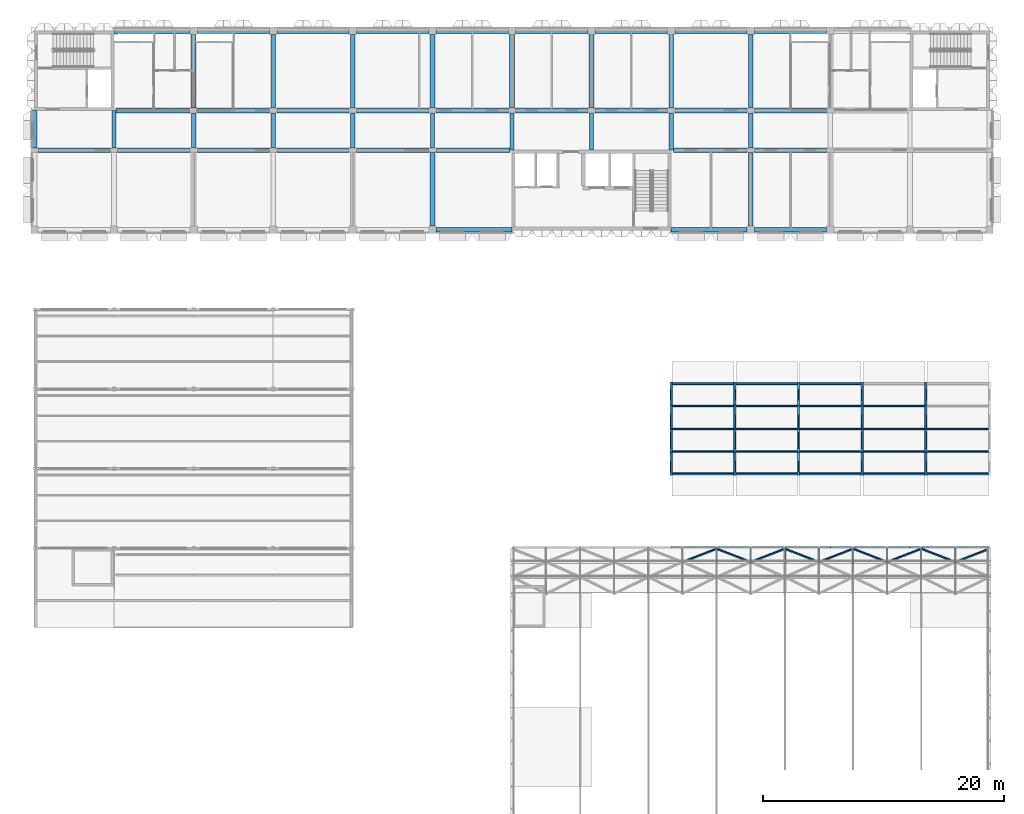
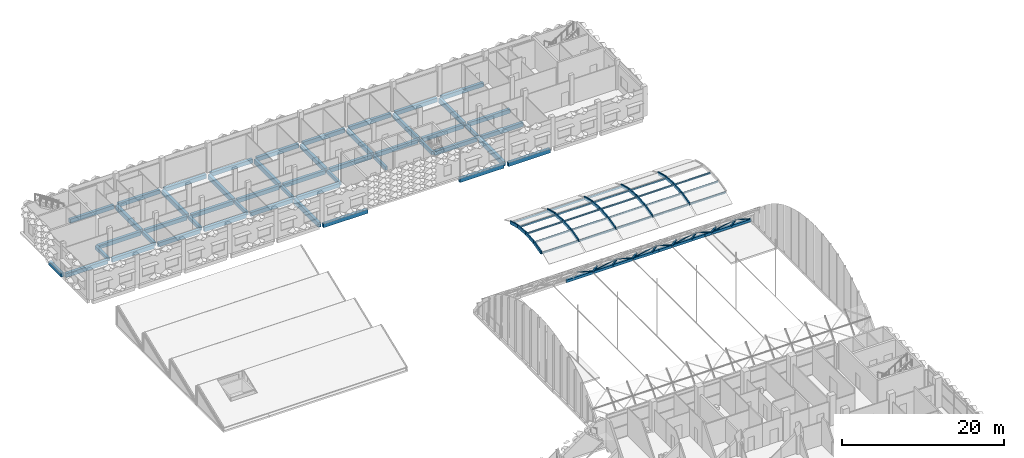
# One storey, part 39 of 109: 59 members, 53 beams.
"""IFC4 building model written with IfcOpenShell, lengths in metres."""

from ifc_helpers import new_model, si_unit, direction, frame, origin, origin_2d, place, context, subcontext, project, spatial, rectangle, hollow_rectangle, extrude, material, material_profile, profile_set, type_object, element, save


model = new_model("IFC4")

# Units and contexts
model_context = context("Model", 3, precision=1e-05, world=origin(), true_north=direction((0.0, 1.0)))
body_context = subcontext(model_context, "Body", "Model", "MODEL_VIEW")
ifc_project = project(units=[si_unit("LENGTHUNIT", "METRE"), si_unit("AREAUNIT", "SQUARE_METRE"), si_unit("VOLUMEUNIT", "CUBIC_METRE"), si_unit("PLANEANGLEUNIT", "RADIAN"), si_unit("MASSUNIT", "GRAM", prefix="KILO")], contexts=[model_context])

# Site, building, storey
site_placement = place(None, origin())
site = spatial("IfcSite", under=ifc_project, at=site_placement, CompositionType="ELEMENT")
building_placement = place(site_placement, origin())
building = spatial("IfcBuilding", under=site, at=building_placement, Name="Lantern Court Research Institute", CompositionType="ELEMENT")
storey_placement = place(building_placement, frame((0.0, 0.0, 14.39990234375)))
storey = spatial("IfcBuildingStorey", under=building, at=storey_placement, Name="L03", CompositionType="ELEMENT", Elevation=14.39990234375)

# Members
ifc_material_1 = material(Name="Glued laminated timber GL28h", Category="wood")
ifc_material_profile_1 = material_profile(ifc_material_1, rectangle(XDim=0.1201171875, YDim=0.199951171875, at=origin_2d()), Name="Glulam crown purlin 120 x 200")
ifc_profile_set_1 = profile_set([ifc_material_profile_1], Name="Glued laminated timber GL28h")
member_type_1 = type_object("IfcMemberType", Name="Glulam crown purlin 120 x 200", PredefinedType="PURLIN", material=ifc_profile_set_1)
for number, where, z_axis, x_axis, name in (
    (1, (52.8798828125, 64.09912109375, 1.119140625), (1.0, 0.0, 0.0), (0.0, 0.9857479333, 0.168229046229), "Glulam purlin"),
    (2, (58.159912109375, 64.09912109375, 1.119140625), (1.0, 0.0, 0.0), (0.0, 0.9857479333, 0.168229046229), "Glulam purlin"),
    (3, (63.43994140625, 64.09912109375, 1.119140625), (1.0, 0.0, 0.0), (0.0, 0.9857479333, 0.168229046229), "Glulam purlin"),
    (4, (68.719970703125, 64.09912109375, 1.119140625), (1.0, 0.0, 0.0), (0.0, 0.9857479333, 0.168229046229), "Glulam purlin"),
    (5, (74.0, 64.09912109375, 1.119140625), (1.0, 0.0, 0.0), (0.0, 0.9857479333, 0.168229046229), "Glulam purlin"),
    (6, (52.8798828125, 66.0, 1.280029296875), (1.0, 0.0, 0.0), (0.0, 1.0, 0.0), "Glulam purlin"),
    (7, (58.159912109375, 66.0, 1.280029296875), (1.0, 0.0, 0.0), (0.0, 1.0, 0.0), "Glulam purlin"),
    (8, (63.43994140625, 66.0, 1.280029296875), (1.0, 0.0, 0.0), (0.0, 1.0, 0.0), "Glulam purlin"),
    (9, (68.719970703125, 66.0, 1.280029296875), (1.0, 0.0, 0.0), (0.0, 1.0, 0.0), "Glulam purlin"),
    (10, (74.0, 66.0, 1.280029296875), (1.0, 0.0, 0.0), (0.0, 1.0, 0.0), "Glulam purlin"),
    (11, (52.8798828125, 67.90087890625, 1.119140625), (1.0, 0.0, 0.0), (0.0, 0.9857479333, -0.168229046229), "Glulam purlin"),
    (12, (58.159912109375, 67.90087890625, 1.119140625), (1.0, 0.0, 0.0), (0.0, 0.9857479333, -0.168229046229), "Glulam purlin"),
    (13, (63.43994140625, 67.90087890625, 1.119140625), (1.0, 0.0, 0.0), (0.0, 0.9857479333, -0.168229046229), "Glulam purlin"),
    (14, (68.719970703125, 67.90087890625, 1.119140625), (1.0, 0.0, 0.0), (0.0, 0.9857479333, -0.168229046229), "Glulam purlin"),
):
    element("IfcMember", number, at=place(storey_placement, frame(where, z_axis=z_axis, x_axis=x_axis)), inside=storey, type_object=member_type_1, Name=name, PredefinedType="PURLIN", context=body_context, shape_type="SweptSolid", body=[
        extrude(rectangle(XDim=0.1201171875, YDim=0.199951171875, at=origin_2d()), origin(), (0.0, 0.0, 1.0), 5.1201171875),
    ])
ifc_material_2 = material(Name="Glued laminated timber GL28h", Category="wood")
ifc_material_profile_2 = material_profile(ifc_material_2, rectangle(XDim=0.159912109375, YDim=0.47998046875, at=origin_2d()), Name="Glulam crown rib 160 x 480")
ifc_profile_set_2 = profile_set([ifc_material_profile_2], Name="Glued laminated timber GL28h")
member_type_2 = type_object("IfcMemberType", Name="Glulam crown rib 160 x 480", PredefinedType="RAFTER", material=ifc_profile_set_2)
member_1_placement = place(storey_placement, frame((52.800048828125, 62.193115234375, 0.747802734375), z_axis=(0.0, 0.968012518935, 0.250901899527), x_axis=(-1.0, 0.0, 0.0)))
element("IfcMember", 15, at=member_1_placement, inside=storey, type_object=member_type_2, Name="Glulam rib", PredefinedType="RAFTER", context=body_context, shape_type="SweptSolid", body=[
    extrude(rectangle(XDim=0.159912109375, YDim=0.47998046875, at=origin_2d()), origin(), (0.0, 0.0, 1.0), 1.968505859375),
])
for number, where, z_axis, x_axis, name in (
    (16, (52.800048828125, 64.05859375, 1.23486328125), (0.0, 0.996438025427, 0.084328295867), (-1.0, 0.0, 0.0), "Glulam rib"),
    (17, (52.800048828125, 65.979736328125, 1.40087890625), (0.0, 0.996438025427, -0.084328295867), (-1.0, 0.0, 0.0), "Glulam rib"),
):
    element("IfcMember", number, at=place(storey_placement, frame(where, z_axis=z_axis, x_axis=x_axis)), inside=storey, type_object=member_type_2, Name=name, PredefinedType="RAFTER", context=body_context, shape_type="SweptSolid", body=[
        extrude(rectangle(XDim=0.159912109375, YDim=0.47998046875, at=origin_2d()), origin(), (0.0, 0.0, 1.0), 1.96875),
    ])
for number, where, z_axis, x_axis, name in (
    (18, (52.800048828125, 67.9013671875, 1.24169921875), (0.0, 0.968012518935, -0.250901899527), (-1.0, 0.0, 0.0), "Glulam rib"),
    (19, (58.080078125, 62.193115234375, 0.747802734375), (0.0, 0.968012518935, 0.250901899527), (-1.0, 0.0, 0.0), "Glulam rib"),
):
    element("IfcMember", number, at=place(storey_placement, frame(where, z_axis=z_axis, x_axis=x_axis)), inside=storey, type_object=member_type_2, Name=name, PredefinedType="RAFTER", context=body_context, shape_type="SweptSolid", body=[
        extrude(rectangle(XDim=0.159912109375, YDim=0.47998046875, at=origin_2d()), origin(), (0.0, 0.0, 1.0), 1.968505859375),
    ])
for number, where, z_axis, x_axis, name in (
    (20, (58.080078125, 64.05859375, 1.23486328125), (0.0, 0.996438025427, 0.084328295867), (-1.0, 0.0, 0.0), "Glulam rib"),
    (21, (58.080078125, 65.979736328125, 1.40087890625), (0.0, 0.996438025427, -0.084328295867), (-1.0, 0.0, 0.0), "Glulam rib"),
):
    element("IfcMember", number, at=place(storey_placement, frame(where, z_axis=z_axis, x_axis=x_axis)), inside=storey, type_object=member_type_2, Name=name, PredefinedType="RAFTER", context=body_context, shape_type="SweptSolid", body=[
        extrude(rectangle(XDim=0.159912109375, YDim=0.47998046875, at=origin_2d()), origin(), (0.0, 0.0, 1.0), 1.96875),
    ])
for number, where, z_axis, x_axis, name in (
    (22, (58.080078125, 67.9013671875, 1.24169921875), (0.0, 0.968012518935, -0.250901899527), (-1.0, 0.0, 0.0), "Glulam rib"),
    (23, (63.360107421875, 62.193115234375, 0.747802734375), (0.0, 0.968012518935, 0.250901899527), (-1.0, 0.0, 0.0), "Glulam rib"),
):
    element("IfcMember", number, at=place(storey_placement, frame(where, z_axis=z_axis, x_axis=x_axis)), inside=storey, type_object=member_type_2, Name=name, PredefinedType="RAFTER", context=body_context, shape_type="SweptSolid", body=[
        extrude(rectangle(XDim=0.159912109375, YDim=0.47998046875, at=origin_2d()), origin(), (0.0, 0.0, 1.0), 1.968505859375),
    ])
for number, where, z_axis, x_axis, name in (
    (24, (63.360107421875, 64.05859375, 1.23486328125), (0.0, 0.996438025427, 0.084328295867), (-1.0, 0.0, 0.0), "Glulam rib"),
    (25, (63.360107421875, 65.979736328125, 1.40087890625), (0.0, 0.996438025427, -0.084328295867), (-1.0, 0.0, 0.0), "Glulam rib"),
):
    element("IfcMember", number, at=place(storey_placement, frame(where, z_axis=z_axis, x_axis=x_axis)), inside=storey, type_object=member_type_2, Name=name, PredefinedType="RAFTER", context=body_context, shape_type="SweptSolid", body=[
        extrude(rectangle(XDim=0.159912109375, YDim=0.47998046875, at=origin_2d()), origin(), (0.0, 0.0, 1.0), 1.96875),
    ])
for number, where, z_axis, x_axis, name in (
    (26, (63.360107421875, 67.9013671875, 1.24169921875), (0.0, 0.968012518935, -0.250901899527), (-1.0, 0.0, 0.0), "Glulam rib"),
    (27, (68.639892578125, 62.193115234375, 0.747802734375), (0.0, 0.968012518935, 0.250901899527), (-1.0, 0.0, 0.0), "Glulam rib"),
):
    element("IfcMember", number, at=place(storey_placement, frame(where, z_axis=z_axis, x_axis=x_axis)), inside=storey, type_object=member_type_2, Name=name, PredefinedType="RAFTER", context=body_context, shape_type="SweptSolid", body=[
        extrude(rectangle(XDim=0.159912109375, YDim=0.47998046875, at=origin_2d()), origin(), (0.0, 0.0, 1.0), 1.968505859375),
    ])
for number, where, z_axis, x_axis, name in (
    (28, (68.639892578125, 64.05859375, 1.23486328125), (0.0, 0.996438025427, 0.084328295867), (-1.0, 0.0, 0.0), "Glulam rib"),
    (29, (68.639892578125, 65.979736328125, 1.40087890625), (0.0, 0.996438025427, -0.084328295867), (-1.0, 0.0, 0.0), "Glulam rib"),
):
    element("IfcMember", number, at=place(storey_placement, frame(where, z_axis=z_axis, x_axis=x_axis)), inside=storey, type_object=member_type_2, Name=name, PredefinedType="RAFTER", context=body_context, shape_type="SweptSolid", body=[
        extrude(rectangle(XDim=0.159912109375, YDim=0.47998046875, at=origin_2d()), origin(), (0.0, 0.0, 1.0), 1.96875),
    ])
for number, where, z_axis, x_axis, name in (
    (30, (68.639892578125, 67.9013671875, 1.24169921875), (0.0, 0.968012518935, -0.250901899527), (-1.0, 0.0, 0.0), "Glulam rib"),
    (31, (73.919921875, 62.193115234375, 0.747802734375), (0.0, 0.968012518935, 0.250901899527), (-1.0, 0.0, 0.0), "Glulam rib"),
):
    element("IfcMember", number, at=place(storey_placement, frame(where, z_axis=z_axis, x_axis=x_axis)), inside=storey, type_object=member_type_2, Name=name, PredefinedType="RAFTER", context=body_context, shape_type="SweptSolid", body=[
        extrude(rectangle(XDim=0.159912109375, YDim=0.47998046875, at=origin_2d()), origin(), (0.0, 0.0, 1.0), 1.968505859375),
    ])
for number, where, z_axis, x_axis, name in (
    (32, (73.919921875, 64.05859375, 1.23486328125), (0.0, 0.996438025427, 0.084328295867), (-1.0, 0.0, 0.0), "Glulam rib"),
    (33, (73.919921875, 65.979736328125, 1.40087890625), (0.0, 0.996438025427, -0.084328295867), (-1.0, 0.0, 0.0), "Glulam rib"),
):
    element("IfcMember", number, at=place(storey_placement, frame(where, z_axis=z_axis, x_axis=x_axis)), inside=storey, type_object=member_type_2, Name=name, PredefinedType="RAFTER", context=body_context, shape_type="SweptSolid", body=[
        extrude(rectangle(XDim=0.159912109375, YDim=0.47998046875, at=origin_2d()), origin(), (0.0, 0.0, 1.0), 1.96875),
    ])
member_2_placement = place(storey_placement, frame((73.919921875, 67.9013671875, 1.24169921875), z_axis=(0.0, 0.968012518935, -0.250901899527), x_axis=(-1.0, 0.0, 0.0)))
element("IfcMember", 34, at=member_2_placement, inside=storey, type_object=member_type_2, Name="Glulam rib", PredefinedType="RAFTER", context=body_context, shape_type="SweptSolid", body=[
    extrude(rectangle(XDim=0.159912109375, YDim=0.47998046875, at=origin_2d()), origin(), (0.0, 0.0, 1.0), 1.968505859375),
])
ifc_material_3 = material(Name="Glued laminated timber GL28h", Category="wood")
ifc_material_profile_3 = material_profile(ifc_material_3, rectangle(XDim=0.1201171875, YDim=0.239990234375, at=origin_2d()), Name="Glulam purlin 120 x 240")
ifc_profile_set_3 = profile_set([ifc_material_profile_3], Name="Glued laminated timber GL28h")
member_type_3 = type_object("IfcMemberType", Name="Glulam purlin 120 x 240", PredefinedType="PURLIN", material=ifc_profile_set_3)
for number, where, z_axis, x_axis, name in (
    (35, (52.8798828125, 62.2587890625, 0.62158203125), (1.0, 0.0, 0.0), (0.0, 0.943397976009, 0.331662869283), "Glulam purlin"),
    (36, (58.159912109375, 62.2587890625, 0.62158203125), (1.0, 0.0, 0.0), (0.0, 0.943397976009, 0.331662869283), "Glulam purlin"),
    (37, (63.43994140625, 62.2587890625, 0.62158203125), (1.0, 0.0, 0.0), (0.0, 0.943397976009, 0.331662869283), "Glulam purlin"),
    (38, (68.719970703125, 62.2587890625, 0.62158203125), (1.0, 0.0, 0.0), (0.0, 0.943397976009, 0.331662869283), "Glulam purlin"),
    (39, (74.0, 62.2587890625, 0.62158203125), (1.0, 0.0, 0.0), (0.0, 0.943397976009, 0.331662869283), "Glulam purlin"),
    (40, (52.8798828125, 69.7412109375, 0.62158203125), (1.0, 0.0, 0.0), (0.0, 0.943397976009, -0.331662869283), "Glulam purlin"),
    (41, (58.159912109375, 69.7412109375, 0.62158203125), (1.0, 0.0, 0.0), (0.0, 0.943397976009, -0.331662869283), "Glulam purlin"),
    (42, (63.43994140625, 69.7412109375, 0.62158203125), (1.0, 0.0, 0.0), (0.0, 0.943397976009, -0.331662869283), "Glulam purlin"),
):
    element("IfcMember", number, at=place(storey_placement, frame(where, z_axis=z_axis, x_axis=x_axis)), inside=storey, type_object=member_type_3, Name=name, PredefinedType="PURLIN", context=body_context, shape_type="SweptSolid", body=[
        extrude(rectangle(XDim=0.1201171875, YDim=0.239990234375, at=origin_2d()), origin(), (0.0, 0.0, 1.0), 5.1201171875),
    ])
ifc_material_4 = material(Name="Structural steel S355", Category="steel")
ifc_material_profile_4 = material_profile(ifc_material_4, hollow_rectangle(XDim=0.1201171875, YDim=0.1201171875, WallThickness=0.008056640625, at=origin_2d()), Name="Gridshell haunch diagonal RHS 120 x 120 x 8")
ifc_profile_set_4 = profile_set([ifc_material_profile_4], Name="Structural steel S355")
member_type_4 = type_object("IfcMemberType", Name="Gridshell haunch diagonal RHS 120 x 120 x 8", PredefinedType="BRACE", material=ifc_profile_set_4)
member_3_placement = place(storey_placement, frame((53.742919921875, 54.95458984375, 1.92041015625), z_axis=(0.829757421007, 0.321633055217, -0.45613024464), x_axis=(-0.558124199292, 0.478137532634, -0.678145912065)))
element("IfcMember", 43, at=member_3_placement, inside=storey, type_object=member_type_4, Name="Gridshell diagonal", PredefinedType="BRACE", context=body_context, shape_type="SweptSolid", body=[
    extrude(hollow_rectangle(XDim=0.1201171875, YDim=0.1201171875, WallThickness=0.008056640625, at=origin_2d()), origin(), (0.0, 0.0, 1.0), 3.408935546875),
])
member_4_placement = place(storey_placement, frame((59.39990234375, 54.95458984375, 1.92041015625), z_axis=(-0.829735110058, 0.321652169121, -0.456157351399), x_axis=(-0.558157366986, -0.478113831457, 0.678135324142)))
element("IfcMember", 44, at=member_4_placement, inside=storey, type_object=member_type_4, Name="Gridshell diagonal", PredefinedType="BRACE", context=body_context, shape_type="SweptSolid", body=[
    extrude(hollow_rectangle(XDim=0.1201171875, YDim=0.1201171875, WallThickness=0.008056640625, at=origin_2d()), origin(), (0.0, 0.0, 1.0), 3.40869140625),
])
for number, where, z_axis, x_axis, name in (
    (45, (59.39990234375, 54.95458984375, 1.92041015625), (0.829757421007, 0.321633055217, -0.45613024464), (-0.558124199292, 0.478137532634, -0.678145912065), "Gridshell diagonal"),
    (46, (65.05712890625, 54.95458984375, 1.92041015625), (-0.829757421007, 0.321633055217, -0.45613024464), (-0.558124199292, -0.478137532634, 0.678145912065), "Gridshell diagonal"),
    (47, (65.05712890625, 54.95458984375, 1.92041015625), (0.829757421007, 0.321633055217, -0.45613024464), (-0.558124199292, 0.478137532634, -0.678145912065), "Gridshell diagonal"),
    (48, (70.71435546875, 54.95458984375, 1.92041015625), (-0.829757421007, 0.321633055217, -0.45613024464), (-0.558124199292, -0.478137532634, 0.678145912065), "Gridshell diagonal"),
    (49, (70.71435546875, 54.95458984375, 1.92041015625), (0.829757421007, 0.321633055217, -0.45613024464), (-0.558124199292, 0.478137532634, -0.678145912065), "Gridshell diagonal"),
):
    element("IfcMember", number, at=place(storey_placement, frame(where, z_axis=z_axis, x_axis=x_axis)), inside=storey, type_object=member_type_4, Name=name, PredefinedType="BRACE", context=body_context, shape_type="SweptSolid", body=[
        extrude(hollow_rectangle(XDim=0.1201171875, YDim=0.1201171875, WallThickness=0.008056640625, at=origin_2d()), origin(), (0.0, 0.0, 1.0), 3.408935546875),
    ])
member_5_placement = place(storey_placement, frame((76.371337890625, 54.95458984375, 1.92041015625), z_axis=(-0.829735110058, 0.321652169121, -0.456157351399), x_axis=(-0.558157366986, -0.478113831457, 0.678135324142)))
element("IfcMember", 50, at=member_5_placement, inside=storey, type_object=member_type_4, Name="Gridshell diagonal", PredefinedType="BRACE", context=body_context, shape_type="SweptSolid", body=[
    extrude(hollow_rectangle(XDim=0.1201171875, YDim=0.1201171875, WallThickness=0.008056640625, at=origin_2d()), origin(), (0.0, 0.0, 1.0), 3.40869140625),
])
member_6_placement = place(storey_placement, frame((76.371337890625, 54.95458984375, 1.92041015625), z_axis=(0.829757421007, 0.321633055217, -0.45613024464), x_axis=(-0.558124199292, 0.478137532634, -0.678145912065)))
element("IfcMember", 51, at=member_6_placement, inside=storey, type_object=member_type_4, Name="Gridshell diagonal", PredefinedType="BRACE", context=body_context, shape_type="SweptSolid", body=[
    extrude(hollow_rectangle(XDim=0.1201171875, YDim=0.1201171875, WallThickness=0.008056640625, at=origin_2d()), origin(), (0.0, 0.0, 1.0), 3.408935546875),
])

# Beams
ifc_material_5 = material(Name="Structural steel S355", Category="steel")
ifc_material_profile_5 = material_profile(ifc_material_5, hollow_rectangle(XDim=0.300048828125, YDim=0.39990234375, WallThickness=0.01611328125, at=origin_2d()), Name="Gridshell ring beam RHS 400 x 300 x 16")
ifc_profile_set_5 = profile_set([ifc_material_profile_5], Name="Structural steel S355")
beam_type_1 = type_object("IfcBeamType", Name="Gridshell ring beam RHS 400 x 300 x 16", PredefinedType="BEAM", material=ifc_profile_set_5)
beam_1_placement = place(storey_placement, frame((52.800048828125, 56.10009765625, 0.2001953125), z_axis=(1.0, 0.0, 0.0), x_axis=(0.0, 1.0, 0.0)))
element("IfcBeam", 52, at=beam_1_placement, inside=storey, type_object=beam_type_1, Name="Ring beam N", PredefinedType="BEAM", context=body_context, shape_type="SweptSolid", body=[
    extrude(hollow_rectangle(XDim=0.300048828125, YDim=0.39990234375, WallThickness=0.01611328125, at=origin_2d()), origin(), (0.0, 0.0, 1.0), 6.599853515625),
])
for number, where, z_axis, x_axis, name in (
    (53, (59.39990234375, 56.10009765625, 0.2001953125), (1.0, 0.0, 0.0), (0.0, 1.0, 0.0), "Ring beam N"),
    (54, (66.0, 56.10009765625, 0.2001953125), (1.0, 0.0, 0.0), (0.0, 1.0, 0.0), "Ring beam N"),
):
    element("IfcBeam", number, at=place(storey_placement, frame(where, z_axis=z_axis, x_axis=x_axis)), inside=storey, type_object=beam_type_1, Name=name, PredefinedType="BEAM", context=body_context, shape_type="SweptSolid", body=[
        extrude(hollow_rectangle(XDim=0.300048828125, YDim=0.39990234375, WallThickness=0.01611328125, at=origin_2d()), origin(), (0.0, 0.0, 1.0), 6.60009765625),
    ])
beam_2_placement = place(storey_placement, frame((72.60009765625, 56.10009765625, 0.2001953125), z_axis=(1.0, 0.0, 0.0), x_axis=(0.0, 1.0, 0.0)))
element("IfcBeam", 55, at=beam_2_placement, inside=storey, type_object=beam_type_1, Name="Ring beam N", PredefinedType="BEAM", context=body_context, shape_type="SweptSolid", body=[
    extrude(hollow_rectangle(XDim=0.300048828125, YDim=0.39990234375, WallThickness=0.01611328125, at=origin_2d()), origin(), (0.0, 0.0, 1.0), 6.599853515625),
])

# Members
ifc_material_6 = material(Name="Structural steel S355", Category="steel")
ifc_material_profile_6 = material_profile(ifc_material_6, hollow_rectangle(XDim=0.1201171875, YDim=0.199951171875, WallThickness=0.008056640625, at=origin_2d()), Name="Gridshell secondary rib RHS 200 x 120 x 8")
ifc_profile_set_6 = profile_set([ifc_material_profile_6], Name="Structural steel S355")
member_type_5 = type_object("IfcMemberType", Name="Gridshell secondary rib RHS 200 x 120 x 8", PredefinedType="RAFTER", material=ifc_profile_set_6)
for number, where, z_axis, x_axis, name in (
    (56, (59.39990234375, 54.921875, 1.897216796875), (0.0, 0.576335495229, -0.817213189406), (-1.0, 0.0, 0.0), "Gridshell secondary rib"),
    (57, (65.05712890625, 54.921875, 1.897216796875), (0.0, 0.576335495229, -0.817213189406), (-1.0, 0.0, 0.0), "Gridshell secondary rib"),
    (58, (70.71435546875, 54.921875, 1.897216796875), (0.0, 0.576335495229, -0.817213189406), (-1.0, 0.0, 0.0), "Gridshell secondary rib"),
    (59, (76.371337890625, 54.921875, 1.897216796875), (0.0, 0.576335495229, -0.817213189406), (-1.0, 0.0, 0.0), "Gridshell secondary rib"),
):
    element("IfcMember", number, at=place(storey_placement, frame(where, z_axis=z_axis, x_axis=x_axis)), inside=storey, type_object=member_type_5, Name=name, PredefinedType="RAFTER", context=body_context, shape_type="SweptSolid", body=[
        extrude(hollow_rectangle(XDim=0.1201171875, YDim=0.199951171875, WallThickness=0.008056640625, at=origin_2d()), origin(), (0.0, 0.0, 1.0), 1.90234375),
    ])
ifc_material_7 = material(Name="Structural steel S355", Category="steel")
ifc_material_profile_7 = material_profile(ifc_material_7, hollow_rectangle(XDim=0.14990234375, YDim=0.25, WallThickness=0.010009765625, at=origin_2d()), Name="Gridshell springing rib RHS 250 x 150 x 10")
ifc_profile_set_7 = profile_set([ifc_material_profile_7], Name="Structural steel S355")
member_type_6 = type_object("IfcMemberType", Name="Gridshell springing rib RHS 250 x 150 x 10", PredefinedType="RAFTER", material=ifc_profile_set_7)
for number, where, z_axis, x_axis, name in (
    (60, (56.571533203125, 54.901611328125, 1.8828125), (0.0, 0.576249781335, -0.817273631969), (-1.0, 0.0, 0.0), "Gridshell rib"),
    (61, (62.228515625, 54.901611328125, 1.8828125), (0.0, 0.576249781335, -0.817273631969), (-1.0, 0.0, 0.0), "Gridshell rib"),
    (62, (67.8857421875, 54.901611328125, 1.8828125), (0.0, 0.576249781335, -0.817273631969), (-1.0, 0.0, 0.0), "Gridshell rib"),
    (63, (73.54296875, 54.901611328125, 1.8828125), (0.0, 0.576249781335, -0.817273631969), (-1.0, 0.0, 0.0), "Gridshell rib"),
):
    element("IfcMember", number, at=place(storey_placement, frame(where, z_axis=z_axis, x_axis=x_axis)), inside=storey, type_object=member_type_6, Name=name, PredefinedType="RAFTER", context=body_context, shape_type="SweptSolid", body=[
        extrude(hollow_rectangle(XDim=0.14990234375, YDim=0.25, WallThickness=0.010009765625, at=origin_2d()), origin(), (0.0, 0.0, 1.0), 1.90234375),
    ])

# Beams
ifc_material_8 = material(Name="Concrete C40/50", Category="concrete")
ifc_material_profile_8 = material_profile(ifc_material_8, rectangle(XDim=0.39990234375, YDim=0.60009765625, at=origin_2d()), Name="RC beam 400 x 600")
ifc_profile_set_8 = profile_set([ifc_material_profile_8], Name="Concrete C40/50")
beam_type_2 = type_object("IfcBeamType", Name="RC beam 400 x 600", PredefinedType="BEAM", material=ifc_profile_set_8)
for number, where, z_axis, x_axis, name in (
    (64, (0.300048828125, 89.10009765625, -0.5498046875), (1.0, 0.0, 0.0), (0.0, 1.0, 0.0), "Beam L03 grid K/1-2"),
    (65, (6.89990234375, 89.10009765625, -0.5498046875), (1.0, 0.0, 0.0), (0.0, 1.0, 0.0), "Beam L03 grid K/2-3"),
    (66, (13.5, 89.10009765625, -0.5498046875), (1.0, 0.0, 0.0), (0.0, 1.0, 0.0), "Beam L03 grid K/3-4"),
    (67, (20.10009765625, 89.10009765625, -0.5498046875), (1.0, 0.0, 0.0), (0.0, 1.0, 0.0), "Beam L03 grid K/4-5"),
    (68, (26.699951171875, 89.10009765625, -0.5498046875), (1.0, 0.0, 0.0), (0.0, 1.0, 0.0), "Beam L03 grid K/5-6"),
):
    element("IfcBeam", number, at=place(storey_placement, frame(where, z_axis=z_axis, x_axis=x_axis)), inside=storey, type_object=beam_type_2, Name=name, PredefinedType="BEAM", context=body_context, shape_type="SweptSolid", body=[
        extrude(rectangle(XDim=0.39990234375, YDim=0.60009765625, at=origin_2d()), origin(), (0.0, 0.0, 1.0), 6.0),
    ])
for number, where, z_axis, x_axis, name in (
    (69, (33.300048828125, 89.10009765625, -0.5498046875), (1.0, 0.0, 0.0), (0.0, 1.0, 0.0), "Beam L03 grid K/6-7"),
    (70, (52.97509765625, 89.10009765625, -0.5498046875), (1.0, 0.0, 0.0), (0.0, 1.0, 0.0), "Beam L03 grid K/9-10"),
):
    element("IfcBeam", number, at=place(storey_placement, frame(where, z_axis=z_axis, x_axis=x_axis)), inside=storey, type_object=beam_type_2, Name=name, PredefinedType="BEAM", context=body_context, shape_type="SweptSolid", body=[
        extrude(rectangle(XDim=0.39990234375, YDim=0.60009765625, at=origin_2d()), origin(), (0.0, 0.0, 1.0), 6.125),
    ])
beam_3_placement = place(storey_placement, frame((59.699951171875, 89.10009765625, -0.5498046875), z_axis=(1.0, 0.0, 0.0), x_axis=(0.0, 1.0, 0.0)))
element("IfcBeam", 71, at=beam_3_placement, inside=storey, type_object=beam_type_2, Name="Beam L03 grid K/10-11", PredefinedType="BEAM", context=body_context, shape_type="SweptSolid", body=[
    extrude(rectangle(XDim=0.39990234375, YDim=0.60009765625, at=origin_2d()), origin(), (0.0, 0.0, 1.0), 6.0),
])
beam_4_placement = place(storey_placement, frame((6.77490234375, 92.39990234375, -0.5498046875), z_axis=(1.0, 0.0, 0.0), x_axis=(0.0, 1.0, 0.0)))
element("IfcBeam", 72, at=beam_4_placement, inside=storey, type_object=beam_type_2, Name="Beam L03 grid L/2-3", PredefinedType="BEAM", context=body_context, shape_type="SweptSolid", body=[
    extrude(rectangle(XDim=0.39990234375, YDim=0.60009765625, at=origin_2d()), origin(), (0.0, 0.0, 1.0), 6.125),
])
for number, where, z_axis, x_axis, name in (
    (73, (13.5, 92.39990234375, -0.5498046875), (1.0, 0.0, 0.0), (0.0, 1.0, 0.0), "Beam L03 grid L/3-4"),
    (74, (20.10009765625, 92.39990234375, -0.5498046875), (1.0, 0.0, 0.0), (0.0, 1.0, 0.0), "Beam L03 grid L/4-5"),
    (75, (26.699951171875, 92.39990234375, -0.5498046875), (1.0, 0.0, 0.0), (0.0, 1.0, 0.0), "Beam L03 grid L/5-6"),
    (76, (33.300048828125, 92.39990234375, -0.5498046875), (1.0, 0.0, 0.0), (0.0, 1.0, 0.0), "Beam L03 grid L/6-7"),
    (77, (39.89990234375, 92.39990234375, -0.5498046875), (1.0, 0.0, 0.0), (0.0, 1.0, 0.0), "Beam L03 grid L/7-8"),
    (78, (46.5, 92.39990234375, -0.5498046875), (1.0, 0.0, 0.0), (0.0, 1.0, 0.0), "Beam L03 grid L/8-9"),
    (79, (53.10009765625, 92.39990234375, -0.5498046875), (1.0, 0.0, 0.0), (0.0, 1.0, 0.0), "Beam L03 grid L/9-10"),
    (80, (59.699951171875, 92.39990234375, -0.5498046875), (1.0, 0.0, 0.0), (0.0, 1.0, 0.0), "Beam L03 grid L/10-11"),
):
    element("IfcBeam", number, at=place(storey_placement, frame(where, z_axis=z_axis, x_axis=x_axis)), inside=storey, type_object=beam_type_2, Name=name, PredefinedType="BEAM", context=body_context, shape_type="SweptSolid", body=[
        extrude(rectangle(XDim=0.39990234375, YDim=0.60009765625, at=origin_2d()), origin(), (0.0, 0.0, 1.0), 6.0),
    ])
ifc_material_9 = material(Name="Concrete C40/50", Category="concrete")
ifc_material_profile_9 = material_profile(ifc_material_9, rectangle(XDim=0.39990234375, YDim=0.699951171875, at=origin_2d()), Name="RC beam 400 x 700")
ifc_profile_set_9 = profile_set([ifc_material_profile_9], Name="Concrete C40/50")
beam_type_3 = type_object("IfcBeamType", Name="RC beam 400 x 700", PredefinedType="BEAM", material=ifc_profile_set_9)
for number, where, z_axis, x_axis, name in (
    (81, (13.199951171875, 92.60009765625, -0.599853515625), (0.0, 1.0, 0.0), (-1.0, 0.0, 0.0), "Beam L03 grid 3/L-M"),
    (82, (19.800048828125, 92.60009765625, -0.599853515625), (0.0, 1.0, 0.0), (-1.0, 0.0, 0.0), "Beam L03 grid 4/L-M"),
    (83, (26.39990234375, 92.60009765625, -0.599853515625), (0.0, 1.0, 0.0), (-1.0, 0.0, 0.0), "Beam L03 grid 5/L-M"),
    (84, (33.0, 82.800048828125, -0.599853515625), (0.0, 1.0, 0.0), (-1.0, 0.0, 0.0), "Beam L03 grid 6/J-K"),
    (85, (33.0, 92.60009765625, -0.599853515625), (0.0, 1.0, 0.0), (-1.0, 0.0, 0.0), "Beam L03 grid 6/L-M"),
    (86, (39.60009765625, 92.60009765625, -0.599853515625), (0.0, 1.0, 0.0), (-1.0, 0.0, 0.0), "Beam L03 grid 7/L-M"),
    (87, (46.199951171875, 92.60009765625, -0.599853515625), (0.0, 1.0, 0.0), (-1.0, 0.0, 0.0), "Beam L03 grid 8/L-M"),
    (88, (52.800048828125, 92.60009765625, -0.599853515625), (0.0, 1.0, 0.0), (-1.0, 0.0, 0.0), "Beam L03 grid 9/L-M"),
    (89, (59.39990234375, 82.800048828125, -0.599853515625), (0.0, 1.0, 0.0), (-1.0, 0.0, 0.0), "Beam L03 grid 10/J-K"),
    (90, (59.39990234375, 92.60009765625, -0.599853515625), (0.0, 1.0, 0.0), (-1.0, 0.0, 0.0), "Beam L03 grid 10/L-M"),
):
    element("IfcBeam", number, at=place(storey_placement, frame(where, z_axis=z_axis, x_axis=x_axis)), inside=storey, type_object=beam_type_3, Name=name, PredefinedType="BEAM", context=body_context, shape_type="SweptSolid", body=[
        extrude(rectangle(XDim=0.39990234375, YDim=0.699951171875, at=origin_2d()), origin(), (0.0, 0.0, 1.0), 6.099853515625),
    ])
ifc_material_10 = material(Name="Concrete C40/50", Category="concrete")
ifc_material_profile_10 = material_profile(ifc_material_10, rectangle(XDim=0.39990234375, YDim=0.60009765625, at=origin_2d()), Name="RC beam 400 x 600")
ifc_profile_set_10 = profile_set([ifc_material_profile_10], Name="Concrete C40/50")
beam_type_4 = type_object("IfcBeamType", Name="RC edge beam 400 x 600", PredefinedType="BEAM", material=ifc_profile_set_10)
beam_5_placement = place(storey_placement, frame((0.0, 89.300048828125, -0.5498046875), z_axis=(0.0, 1.0, 0.0), x_axis=(-1.0, 0.0, 0.0)))
element("IfcBeam", 91, at=beam_5_placement, inside=storey, type_object=beam_type_4, Name="Edge beam L03 grid 1/K-L", PredefinedType="BEAM", context=body_context, shape_type="SweptSolid", body=[
    extrude(rectangle(XDim=0.39990234375, YDim=0.60009765625, at=origin_2d()), origin(), (0.0, 0.0, 1.0), 3.099853515625),
])
for number, where, z_axis, x_axis, name in (
    (92, (33.300048828125, 82.5, -0.5498046875), (1.0, 0.0, 0.0), (0.0, 1.0, 0.0), "Edge beam L03 grid J/6-7"),
    (93, (52.800048828125, 82.5, -0.5498046875), (1.0, 0.0, 0.0), (0.0, 1.0, 0.0), "Edge beam L03 grid J/9-10"),
):
    element("IfcBeam", number, at=place(storey_placement, frame(where, z_axis=z_axis, x_axis=x_axis)), inside=storey, type_object=beam_type_4, Name=name, PredefinedType="BEAM", context=body_context, shape_type="SweptSolid", body=[
        extrude(rectangle(XDim=0.39990234375, YDim=0.60009765625, at=origin_2d()), origin(), (0.0, 0.0, 1.0), 6.300048828125),
    ])
beam_6_placement = place(storey_placement, frame((59.699951171875, 82.5, -0.5498046875), z_axis=(1.0, 0.0, 0.0), x_axis=(0.0, 1.0, 0.0)))
element("IfcBeam", 94, at=beam_6_placement, inside=storey, type_object=beam_type_4, Name="Edge beam L03 grid J/10-11", PredefinedType="BEAM", context=body_context, shape_type="SweptSolid", body=[
    extrude(rectangle(XDim=0.39990234375, YDim=0.60009765625, at=origin_2d()), origin(), (0.0, 0.0, 1.0), 6.0),
])
beam_7_placement = place(storey_placement, frame((6.60009765625, 99.0, -0.5498046875), z_axis=(1.0, 0.0, 0.0), x_axis=(0.0, 1.0, 0.0)))
element("IfcBeam", 95, at=beam_7_placement, inside=storey, type_object=beam_type_4, Name="Edge beam L03 grid M/2-3", PredefinedType="BEAM", context=body_context, shape_type="SweptSolid", body=[
    extrude(rectangle(XDim=0.39990234375, YDim=0.60009765625, at=origin_2d()), origin(), (0.0, 0.0, 1.0), 6.2998046875),
])
for number, where, z_axis, x_axis, name in (
    (96, (13.5, 99.0, -0.5498046875), (1.0, 0.0, 0.0), (0.0, 1.0, 0.0), "Edge beam L03 grid M/3-4"),
    (97, (20.10009765625, 99.0, -0.5498046875), (1.0, 0.0, 0.0), (0.0, 1.0, 0.0), "Edge beam L03 grid M/4-5"),
    (98, (26.699951171875, 99.0, -0.5498046875), (1.0, 0.0, 0.0), (0.0, 1.0, 0.0), "Edge beam L03 grid M/5-6"),
    (99, (33.300048828125, 99.0, -0.5498046875), (1.0, 0.0, 0.0), (0.0, 1.0, 0.0), "Edge beam L03 grid M/6-7"),
    (100, (39.89990234375, 99.0, -0.5498046875), (1.0, 0.0, 0.0), (0.0, 1.0, 0.0), "Edge beam L03 grid M/7-8"),
    (101, (46.5, 99.0, -0.5498046875), (1.0, 0.0, 0.0), (0.0, 1.0, 0.0), "Edge beam L03 grid M/8-9"),
    (102, (53.10009765625, 99.0, -0.5498046875), (1.0, 0.0, 0.0), (0.0, 1.0, 0.0), "Edge beam L03 grid M/9-10"),
    (103, (59.699951171875, 99.0, -0.5498046875), (1.0, 0.0, 0.0), (0.0, 1.0, 0.0), "Edge beam L03 grid M/10-11"),
):
    element("IfcBeam", number, at=place(storey_placement, frame(where, z_axis=z_axis, x_axis=x_axis)), inside=storey, type_object=beam_type_4, Name=name, PredefinedType="BEAM", context=body_context, shape_type="SweptSolid", body=[
        extrude(rectangle(XDim=0.39990234375, YDim=0.60009765625, at=origin_2d()), origin(), (0.0, 0.0, 1.0), 6.0),
    ])
ifc_material_11 = material(Name="Concrete C40/50", Category="concrete")
ifc_material_profile_11 = material_profile(ifc_material_11, rectangle(XDim=0.35009765625, YDim=0.5, at=origin_2d()), Name="RC beam 350 x 500")
ifc_profile_set_11 = profile_set([ifc_material_profile_11], Name="Concrete C40/50")
beam_type_5 = type_object("IfcBeamType", Name="RC spine beam 350 x 500", PredefinedType="BEAM", material=ifc_profile_set_11)
beam_8_placement = place(storey_placement, frame((6.60009765625, 89.300048828125, -0.5), z_axis=(0.0, 1.0, 0.0), x_axis=(-1.0, 0.0, 0.0)))
element("IfcBeam", 104, at=beam_8_placement, inside=storey, type_object=beam_type_5, Name="Beam L03 grid 2/K-L", PredefinedType="BEAM", context=body_context, shape_type="SweptSolid", body=[
    extrude(rectangle(XDim=0.35009765625, YDim=0.5, at=origin_2d()), origin(), (0.0, 0.0, 1.0), 3.099853515625),
])
for number, where, z_axis, x_axis, name in (
    (105, (13.199951171875, 89.300048828125, -0.5), (0.0, 1.0, 0.0), (-1.0, 0.0, 0.0), "Beam L03 grid 3/K-L"),
    (106, (19.800048828125, 89.300048828125, -0.5), (0.0, 1.0, 0.0), (-1.0, 0.0, 0.0), "Beam L03 grid 4/K-L"),
    (107, (26.39990234375, 89.300048828125, -0.5), (0.0, 1.0, 0.0), (-1.0, 0.0, 0.0), "Beam L03 grid 5/K-L"),
    (108, (33.0, 89.300048828125, -0.5), (0.0, 1.0, 0.0), (-1.0, 0.0, 0.0), "Beam L03 grid 6/K-L"),
):
    element("IfcBeam", number, at=place(storey_placement, frame(where, z_axis=z_axis, x_axis=x_axis)), inside=storey, type_object=beam_type_5, Name=name, PredefinedType="BEAM", context=body_context, shape_type="SweptSolid", body=[
        extrude(rectangle(XDim=0.35009765625, YDim=0.5, at=origin_2d()), origin(), (0.0, 0.0, 1.0), 2.89990234375),
    ])
for number, where, z_axis, x_axis, name in (
    (109, (39.60009765625, 89.10009765625, -0.5), (0.0, 1.0, 0.0), (-1.0, 0.0, 0.0), "Beam L03 grid 7/K-L"),
    (110, (46.199951171875, 89.10009765625, -0.5), (0.0, 1.0, 0.0), (-1.0, 0.0, 0.0), "Beam L03 grid 8/K-L"),
    (111, (52.800048828125, 89.10009765625, -0.5), (0.0, 1.0, 0.0), (-1.0, 0.0, 0.0), "Beam L03 grid 9/K-L"),
):
    element("IfcBeam", number, at=place(storey_placement, frame(where, z_axis=z_axis, x_axis=x_axis)), inside=storey, type_object=beam_type_5, Name=name, PredefinedType="BEAM", context=body_context, shape_type="SweptSolid", body=[
        extrude(rectangle(XDim=0.35009765625, YDim=0.5, at=origin_2d()), origin(), (0.0, 0.0, 1.0), 3.099853515625),
    ])
beam_9_placement = place(storey_placement, frame((59.39990234375, 89.300048828125, -0.5), z_axis=(0.0, 1.0, 0.0), x_axis=(-1.0, 0.0, 0.0)))
element("IfcBeam", 112, at=beam_9_placement, inside=storey, type_object=beam_type_5, Name="Beam L03 grid 10/K-L", PredefinedType="BEAM", context=body_context, shape_type="SweptSolid", body=[
    extrude(rectangle(XDim=0.35009765625, YDim=0.5, at=origin_2d()), origin(), (0.0, 0.0, 1.0), 2.89990234375),
])

save(model, "model.ifc")
